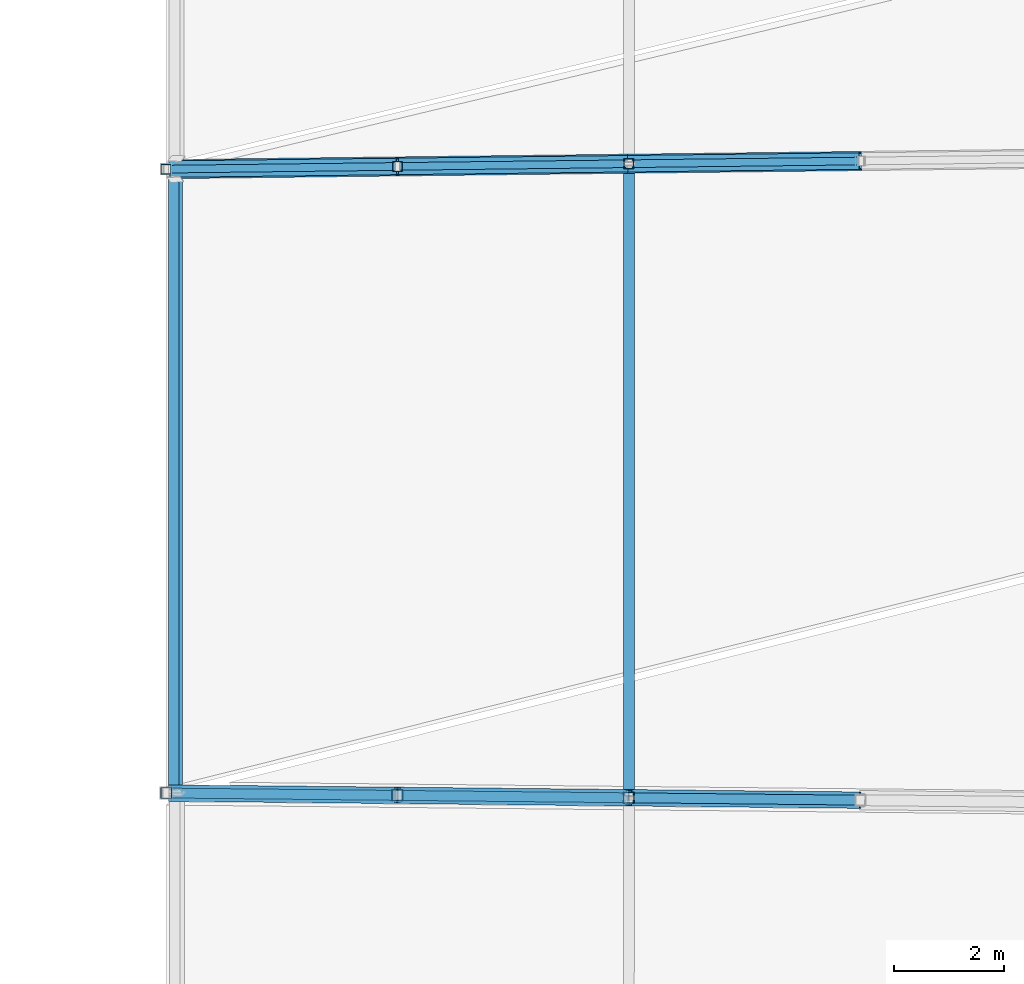
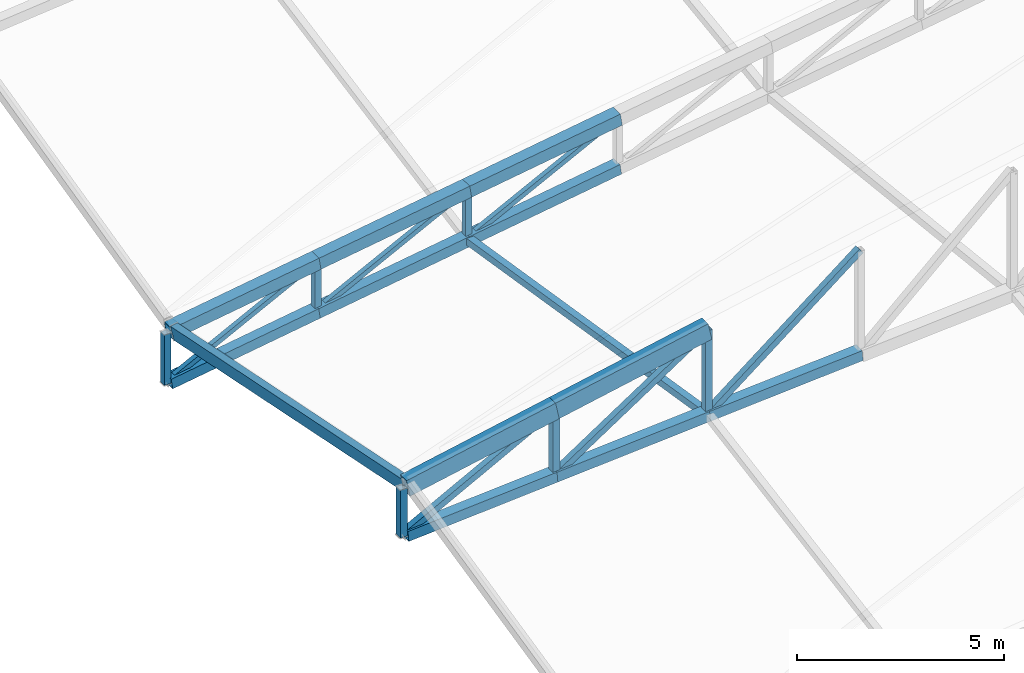
# One storey, part 106 of 344: 24 members, 1 beam.
"""IFC4 building model written with IfcOpenShell, lengths in metres."""

import ifcopenshell
import ifcopenshell.guid

model = None  # the IFC model being written
_history = None  # IfcOwnerHistory: only IFC2X3 demands one
_inside = {}  # id of a spatial element -> (the spatial element, [elements in it])
_under = {}  # id of a project, library or spatial element -> (it, [spatial elements below it])
_declared = {}  # id of a project -> (the project, [libraries it declares])
_typed = {}  # id of a type object -> (the type object, [elements of that type])
_made_of = {}  # id of a material, layer set ... -> (it, [elements and type objects made of it])


def new_model(schema):
    """Start an empty IFC model of exactly this schema.

    Asked for "IFC4X3", IfcOpenShell would pick the latest addendum, in which some entities
    have other attributes; the version numbers below select the first issue.
    IFC2X3 requires an IfcOwnerHistory on every rooted entity: one is made here for all.
    """
    global model, _history
    if schema == "IFC4X3":
        model = ifcopenshell.file(schema_version=(4, 3, 0, 0))
    else:
        model = ifcopenshell.file(schema=schema)
    _inside.clear()
    _under.clear()
    _declared.clear()
    _typed.clear()
    _made_of.clear()
    _history = None
    if model.schema == "IFC2X3":
        org = make("IfcOrganization", Name="unknown")
        user = make(
            "IfcPersonAndOrganization",
            ThePerson=make("IfcPerson", FamilyName="unknown"),
            TheOrganization=org,
        )
        app = make(
            "IfcApplication",
            ApplicationDeveloper=org,
            Version="unknown",
            ApplicationFullName="unknown",
            ApplicationIdentifier="unknown",
        )
        _history = make(
            "IfcOwnerHistory",
            OwningUser=user,
            OwningApplication=app,
            ChangeAction="ADDED",
            CreationDate=0,
        )
    return model


def make(cls, **values):
    """One entity of the class cls with the attributes given. An attribute that is None is left unset."""
    return model.create_entity(
        cls, **{name: value for name, value in values.items() if value is not None}
    )


def rooted(cls, **values):
    """An entity with a GlobalId (a new one), such as an element, a storey or a relation."""
    return make(cls, GlobalId=ifcopenshell.guid.new(), OwnerHistory=_history, **values)


def si_unit(unit_type, name, prefix=None):
    """IfcSIUnit, for example si_unit("LENGTHUNIT", "METRE", prefix="MILLI")."""
    return make("IfcSIUnit", UnitType=unit_type, Prefix=prefix, Name=name)


def assignment(units):
    """IfcUnitAssignment: the units of a project."""
    return None if units is None else make("IfcUnitAssignment", Units=units)


def point(xyz):
    """IfcCartesianPoint."""
    return None if xyz is None else make("IfcCartesianPoint", Coordinates=xyz)


def direction(xyz):
    """IfcDirection."""
    return None if xyz is None else make("IfcDirection", DirectionRatios=xyz)


def frame(location, z_axis=None, x_axis=None):
    """IfcAxis2Placement3D, a coordinate frame: its origin and axes. An axis left out is left unset."""
    return make(
        "IfcAxis2Placement3D",
        Location=point(location),
        Axis=direction(z_axis),
        RefDirection=direction(x_axis),
    )


def frame_2d(location, x_axis=None):
    """IfcAxis2Placement2D, a coordinate frame in the plane: its origin and x axis."""
    return make(
        "IfcAxis2Placement2D", Location=point(location), RefDirection=direction(x_axis)
    )


def origin():
    """The frame at (0, 0, 0) with its axes left unset."""
    return frame((0.0, 0.0, 0.0))


def origin_2d():
    """The frame at (0, 0) in the plane with its x axis left unset."""
    return frame_2d((0.0, 0.0))


def place(relative_to, where):
    """IfcLocalPlacement: puts the frame where relative to a parent placement (None: the world)."""
    return make(
        "IfcLocalPlacement", PlacementRelTo=relative_to, RelativePlacement=where
    )


def context(
    kind, dimensions, precision=None, world=None, true_north=None, identifier=None
):
    """IfcGeometricRepresentationContext, for example the 3D "Model" context."""
    return make(
        "IfcGeometricRepresentationContext",
        ContextIdentifier=identifier,
        ContextType=kind,
        CoordinateSpaceDimension=dimensions,
        Precision=precision,
        WorldCoordinateSystem=world,
        TrueNorth=true_north,
    )


def subcontext(parent, identifier, kind, view, scale=None):
    """IfcGeometricRepresentationSubContext, for example "Body" below "Model"."""
    return make(
        "IfcGeometricRepresentationSubContext",
        ContextIdentifier=identifier,
        ContextType=kind,
        ParentContext=parent,
        TargetScale=scale,
        TargetView=view,
    )


def project(units=None, contexts=None):
    """IfcProject with its units and contexts."""
    return rooted(
        "IfcProject",
        Name="project",
        RepresentationContexts=contexts,
        UnitsInContext=assignment(units),
    )


def spatial(cls, under=None, at=None, **own):
    """A site, building, storey or space (cls), placed at a placement, below another one or the project."""
    s = rooted(cls, ObjectPlacement=at, **own)
    if under is not None:
        _under.setdefault(under.id(), (under, []))[1].append(s)
    return s


def profile(cls, at=None, kind="AREA", **sizes):
    """A parametric profile (cls). Its sizes go by their IFC names, for example OverallWidth=200.0."""
    return make(cls, ProfileType=kind, Position=at, **sizes)


def hollow_rectangle(**sizes):
    """IfcRectangleHollowProfileDef."""
    return profile("IfcRectangleHollowProfileDef", **sizes)


def extrude(swept, where, along, depth):
    """IfcExtrudedAreaSolid: the profile swept, set in the frame where, extruded along a direction by depth."""
    return make(
        "IfcExtrudedAreaSolid",
        SweptArea=swept,
        Position=where,
        ExtrudedDirection=direction(along),
        Depth=depth,
    )


def shape(context_of_items, identifier, shape_type, items):
    """IfcShapeRepresentation: the items that make up one representation, for example the "Body"."""
    return make(
        "IfcShapeRepresentation",
        ContextOfItems=context_of_items,
        RepresentationIdentifier=identifier,
        RepresentationType=shape_type,
        Items=items,
    )


def material(Name=None, Category=None):
    """IfcMaterial."""
    return make("IfcMaterial", Name=Name, Category=Category)


def material_profile(
    of_material, cross_section, Name=None, Category=None, Priority=None
):
    """IfcMaterialProfile: a cross section and its material."""
    return make(
        "IfcMaterialProfile",
        Name=Name,
        Material=of_material,
        Profile=cross_section,
        Priority=Priority,
        Category=Category,
    )


def profile_set(profiles, Name=None, composite=None):
    """IfcMaterialProfileSet."""
    return make(
        "IfcMaterialProfileSet",
        Name=Name,
        MaterialProfiles=profiles,
        CompositeProfile=composite,
    )


def made_of(thing, what):
    """Note that an element or type object is made of a material, layer set ...; save() writes the relation."""
    if what is not None:
        _made_of.setdefault(what.id(), (what, []))[1].append(thing)
    return thing


def type_object(cls, material=None, **own):
    """A type object (cls), such as IfcWallType, which elements share."""
    return made_of(rooted(cls, **own), material)


def element(
    cls,
    number,
    at=None,
    inside=None,
    cuts=None,
    type_object=None,
    material=None,
    context=None,
    identifier="Body",
    shape_type=None,
    held_by="IfcProductDefinitionShape",
    body=None,
    shapes=None,
    **own,
):
    """One element of the class cls, such as IfcWall. Its Tag is "e" and its number.

    at: its placement. inside: the storey or other place that contains it. cuts: it is an
    opening in that element (IfcRelVoidsElement). A single representation is given by context,
    identifier, shape_type and body (its items); several are given by shapes. held_by: the class
    of the entity that holds the representations. save() writes the other relations.
    """
    e = rooted(cls, Tag="e%d" % number, ObjectPlacement=at, **own)
    if body is not None:
        shapes = [shape(context, identifier, shape_type, body)]
    if shapes is not None:
        e.Representation = make(held_by, Representations=shapes)
    if inside is not None:
        _inside.setdefault(inside.id(), (inside, []))[1].append(e)
    if cuts is not None:
        rooted(
            "IfcRelVoidsElement", RelatingBuildingElement=cuts, RelatedOpeningElement=e
        )
    if type_object is not None:
        _typed.setdefault(type_object.id(), (type_object, []))[1].append(e)
    return made_of(e, material)


def aggregate(whole, parts):
    """IfcRelAggregates: a whole, such as a stair, and the parts it consists of."""
    return rooted("IfcRelAggregates", RelatingObject=whole, RelatedObjects=parts)


def save(model, path):
    """Write the relations noted so far, then the file.

    IfcRelAggregates (storeys below a building ...), IfcRelContainedInSpatialStructure (elements
    in a storey), IfcRelDefinesByType, IfcRelAssociatesMaterial and IfcRelDeclares: one each for
    every whole, place, type object, material and project.
    """
    for whole, parts in _under.values():
        aggregate(whole, parts)
    for where, things in _inside.values():
        rooted(
            "IfcRelContainedInSpatialStructure",
            RelatedElements=things,
            RelatingStructure=where,
        )
    for kind, things in _typed.values():
        rooted("IfcRelDefinesByType", RelatedObjects=things, RelatingType=kind)
    for what, things in _made_of.values():
        rooted("IfcRelAssociatesMaterial", RelatedObjects=things, RelatingMaterial=what)
    for by, libraries in _declared.values():
        rooted("IfcRelDeclares", RelatingContext=by, RelatedDefinitions=libraries)
    model.write(path)


model = new_model("IFC4")

# Units and contexts
model_context = context("Model", 3, precision=1e-05, world=origin(), true_north=direction((0.0, 1.0)))
body_context = subcontext(model_context, "Body", "Model", "MODEL_VIEW")
ifc_project = project(units=[si_unit("LENGTHUNIT", "METRE"), si_unit("AREAUNIT", "SQUARE_METRE"), si_unit("VOLUMEUNIT", "CUBIC_METRE"), si_unit("PLANEANGLEUNIT", "RADIAN"), si_unit("MASSUNIT", "GRAM", prefix="KILO")], contexts=[model_context])

# Site, building, storey
site_placement = place(None, origin())
site = spatial("IfcSite", under=ifc_project, at=site_placement, CompositionType="ELEMENT")
building_placement = place(site_placement, origin())
building = spatial("IfcBuilding", under=site, at=building_placement, Name="Meseta Stadium", CompositionType="ELEMENT")
storey_placement = place(building_placement, frame((0.0, 0.0, 24.0)))
storey = spatial("IfcBuildingStorey", under=building, at=storey_placement, Name="L04", CompositionType="ELEMENT", Elevation=24.0)

# Beam
ifc_material_1 = material(Name="Steel S355", Category="steel")
ifc_material_profile_1 = material_profile(ifc_material_1, hollow_rectangle(XDim=0.199951171875, YDim=0.39990234375, WallThickness=0.01611328125, at=origin_2d()), Name="RHS 400x200x16")
ifc_profile_set_1 = profile_set([ifc_material_profile_1], Name="Steel S355")
beam_type = type_object("IfcBeamType", Name="RHS 400x200x16 tip ring beam", PredefinedType="BEAM", material=ifc_profile_set_1)
beam_placement = place(storey_placement, frame((47.170166015625, -5.6591796875, 5.1064453125), z_axis=(0.0, 0.979973133329, -0.19912975155), x_axis=(-0.989707897435, -0.028495932048, -0.140236441813)))
element("IfcBeam", 1, at=beam_placement, inside=storey, type_object=beam_type, Name="TIP RING BEAM 05", PredefinedType="BEAM", context=body_context, shape_type="SweptSolid", body=[
    extrude(hollow_rectangle(XDim=0.199951171875, YDim=0.39990234375, WallThickness=0.01611328125, at=origin_2d()), origin(), (0.0, 0.0, 1.0), 11.385009765625),
])

# Members
ifc_material_2 = material(Name="Steel S355", Category="steel")
ifc_material_profile_2 = material_profile(ifc_material_2, hollow_rectangle(XDim=0.300048828125, YDim=0.5, WallThickness=0.01611328125, at=origin_2d()), Name="RHS 500x300x16")
ifc_profile_set_2 = profile_set([ifc_material_profile_2], Name="Steel S355")
member_type_1 = type_object("IfcMemberType", Name="RHS 500x300x16 top chord", PredefinedType="CHORD", material=ifc_profile_set_2)
member_1_placement = place(storey_placement, frame((47.097412109375, -5.69189453125, 5.125), z_axis=(0.978703620911, -0.010022833506, 0.20503357097), x_axis=(0.01024039122, 0.999947565819, 0.0)))
element("IfcMember", 2, at=member_1_placement, inside=storey, type_object=member_type_1, Name="ROOF TRUSS RT-04 top chord", PredefinedType="CHORD", context=body_context, shape_type="SweptSolid", body=[
    extrude(hollow_rectangle(XDim=0.300048828125, YDim=0.5, WallThickness=0.01611328125, at=origin_2d()), origin(), (0.0, 0.0, 1.0), 4.214111328125),
])
member_2_placement = place(storey_placement, frame((51.2216796875, -5.734130859375, 5.989013671875), z_axis=(0.978712180089, -0.010074062803, 0.204990199288), x_axis=(0.010292636977, 0.999947029409, 0.0)))
element("IfcMember", 3, at=member_2_placement, inside=storey, type_object=member_type_1, Name="ROOF TRUSS RT-04 top chord", PredefinedType="CHORD", context=body_context, shape_type="SweptSolid", body=[
    extrude(hollow_rectangle(XDim=0.300048828125, YDim=0.5, WallThickness=0.01611328125, at=origin_2d()), origin(), (0.0, 0.0, 1.0), 4.313720703125),
])
ifc_material_3 = material(Name="Steel S355", Category="steel")
ifc_material_profile_3 = material_profile(ifc_material_3, hollow_rectangle(XDim=0.139892578125, YDim=0.139892578125, WallThickness=0.0048828125, at=origin_2d()), Name="SHS 140x140x5")
ifc_profile_set_3 = profile_set([ifc_material_profile_3], Name="Steel S355")
member_type_2 = type_object("IfcMemberType", Name="SHS 140x140x5 diagonal", PredefinedType="BRACE", material=ifc_profile_set_3)
member_3_placement = place(storey_placement, frame((46.999755859375, 5.690673828125, 1.284423828125), z_axis=(0.896142468581, 0.010571506597, 0.443640529319), x_axis=(-0.011795860001, 0.999930426423, 0.0)))
element("IfcMember", 4, at=member_3_placement, inside=storey, type_object=member_type_2, Name="ROOF TRUSS RT-05 diagonal", PredefinedType="BRACE", context=body_context, shape_type="SweptSolid", body=[
    extrude(hollow_rectangle(XDim=0.139892578125, YDim=0.139892578125, WallThickness=0.0048828125, at=origin_2d()), origin(), (0.0, 0.0, 1.0), 4.711181640625),
])
for number, where, z_axis, x_axis, name in (
    (5, (51.2216796875, 5.740478515625, 1.897216796875), (0.896122355516, 0.010519449382, 0.443682392178), (-0.011738045144, 0.999931106775, 0.0), "ROOF TRUSS RT-05 diagonal"),
    (6, (55.443603515625, 5.7900390625, 2.510009765625), (0.896122355516, 0.010519449382, 0.443682392178), (-0.011738045144, 0.999931106775, 0.0), "ROOF TRUSS RT-05 diagonal"),
):
    element("IfcMember", number, at=place(storey_placement, frame(where, z_axis=z_axis, x_axis=x_axis)), inside=storey, type_object=member_type_2, Name=name, PredefinedType="BRACE", context=body_context, shape_type="SweptSolid", body=[
        extrude(hollow_rectangle(XDim=0.139892578125, YDim=0.139892578125, WallThickness=0.0048828125, at=origin_2d()), origin(), (0.0, 0.0, 1.0), 4.71142578125),
    ])
ifc_material_4 = material(Name="Steel S355", Category="steel")
ifc_material_profile_4 = material_profile(ifc_material_4, hollow_rectangle(XDim=0.179931640625, YDim=0.179931640625, WallThickness=0.00634765625, at=origin_2d()), Name="SHS 180x180x6.3")
ifc_profile_set_4 = profile_set([ifc_material_profile_4], Name="Steel S355")
member_type_3 = type_object("IfcMemberType", Name="SHS 180x180x6.3 diagonal", PredefinedType="BRACE", material=ifc_profile_set_4)
member_4_placement = place(storey_placement, frame((46.999755859375, -5.690673828125, 3.704345703125), z_axis=(0.879448436545, -0.009052323004, 0.475908082414), x_axis=(0.010292636977, 0.999947029409, 0.0)))
element("IfcMember", 7, at=member_4_placement, inside=storey, type_object=member_type_3, Name="ROOF TRUSS RT-04 diagonal", PredefinedType="BRACE", context=body_context, shape_type="SweptSolid", body=[
    extrude(hollow_rectangle(XDim=0.179931640625, YDim=0.179931640625, WallThickness=0.00634765625, at=origin_2d()), origin(), (0.0, 0.0, 1.0), 4.800537109375),
])
member_5_placement = place(storey_placement, frame((51.2216796875, -5.734130859375, 4.040771484375), z_axis=(0.830391072896, -0.008547366621, 0.557115435595), x_axis=(0.010292636977, 0.999947029409, 0.0)))
element("IfcMember", 8, at=member_5_placement, inside=storey, type_object=member_type_3, Name="ROOF TRUSS RT-04 diagonal", PredefinedType="BRACE", context=body_context, shape_type="SweptSolid", body=[
    extrude(hollow_rectangle(XDim=0.179931640625, YDim=0.179931640625, WallThickness=0.00634765625, at=origin_2d()), origin(), (0.0, 0.0, 1.0), 5.084228515625),
])
member_6_placement = place(storey_placement, frame((55.443603515625, -5.777587890625, 4.377197265625), z_axis=(0.780566096521, -0.00803450906, 0.625021612128), x_axis=(0.010292636977, 0.999947029409, 0.0)))
element("IfcMember", 9, at=member_6_placement, inside=storey, type_object=member_type_3, Name="ROOF TRUSS RT-04 diagonal", PredefinedType="BRACE", context=body_context, shape_type="SweptSolid", body=[
    extrude(hollow_rectangle(XDim=0.179931640625, YDim=0.179931640625, WallThickness=0.00634765625, at=origin_2d()), origin(), (0.0, 0.0, 1.0), 5.40869140625),
])
ifc_material_5 = material(Name="Steel S355", Category="steel")
ifc_material_profile_5 = material_profile(ifc_material_5, hollow_rectangle(XDim=0.179931640625, YDim=0.179931640625, WallThickness=0.00634765625, at=origin_2d()), Name="SHS 180x180x6.3")
ifc_profile_set_5 = profile_set([ifc_material_profile_5], Name="Steel S355")
member_type_4 = type_object("IfcMemberType", Name="SHS 180x180x6.3 post", PredefinedType="POST", material=ifc_profile_set_5)
member_7_placement = place(storey_placement, frame((51.2216796875, 5.740478515625, 1.897216796875), z_axis=(0.0, 0.0, 1.0), x_axis=(1.0, 0.0, 0.0)))
element("IfcMember", 10, at=member_7_placement, inside=storey, type_object=member_type_4, Name="ROOF TRUSS RT-05 post", PredefinedType="POST", context=body_context, shape_type="SweptSolid", body=[
    extrude(hollow_rectangle(XDim=0.179931640625, YDim=0.179931640625, WallThickness=0.00634765625, at=origin_2d()), origin(), (0.0, 0.0, 1.0), 1.477294921875),
])
member_8_placement = place(storey_placement, frame((55.443603515625, 5.7900390625, 2.510009765625), z_axis=(0.0, 0.0, 1.0), x_axis=(1.0, 0.0, 0.0)))
element("IfcMember", 11, at=member_8_placement, inside=storey, type_object=member_type_4, Name="ROOF TRUSS RT-05 post", PredefinedType="POST", context=body_context, shape_type="SweptSolid", body=[
    extrude(hollow_rectangle(XDim=0.179931640625, YDim=0.179931640625, WallThickness=0.00634765625, at=origin_2d()), origin(), (0.0, 0.0, 1.0), 1.4775390625),
])
ifc_material_6 = material(Name="Steel S355", Category="steel")
ifc_material_profile_6 = material_profile(ifc_material_6, hollow_rectangle(XDim=0.179931640625, YDim=0.179931640625, WallThickness=0.00634765625, at=origin_2d()), Name="SHS 180x180x6.3")
ifc_profile_set_6 = profile_set([ifc_material_profile_6], Name="Steel S355")
member_type_5 = type_object("IfcMemberType", Name="SHS 180x180x6.3 rim post", PredefinedType="POST", material=ifc_profile_set_6)
member_9_placement = place(storey_placement, frame((46.999755859375, 5.690673828125, 1.284423828125), z_axis=(0.0, 0.0, 1.0), x_axis=(1.0, 0.0, 0.0)))
element("IfcMember", 12, at=member_9_placement, inside=storey, type_object=member_type_5, Name="ROOF TRUSS RT-05 post", PredefinedType="POST", context=body_context, shape_type="SweptSolid", body=[
    extrude(hollow_rectangle(XDim=0.179931640625, YDim=0.179931640625, WallThickness=0.00634765625, at=origin_2d()), origin(), (0.0, 0.0, 1.0), 1.477294921875),
])
ifc_material_7 = material(Name="Steel S355", Category="steel")
ifc_material_profile_7 = material_profile(ifc_material_7, hollow_rectangle(XDim=0.199951171875, YDim=0.199951171875, WallThickness=0.008056640625, at=origin_2d()), Name="SHS 200x200x8")
ifc_profile_set_7 = profile_set([ifc_material_profile_7], Name="Steel S355")
member_type_6 = type_object("IfcMemberType", Name="SHS 200x200x8 post", PredefinedType="POST", material=ifc_profile_set_7)
member_10_placement = place(storey_placement, frame((51.2216796875, -5.734130859375, 4.040771484375), z_axis=(0.0, 0.0, 1.0), x_axis=(1.0, 0.0, 0.0)))
element("IfcMember", 13, at=member_10_placement, inside=storey, type_object=member_type_6, Name="ROOF TRUSS RT-04 post", PredefinedType="POST", context=body_context, shape_type="SweptSolid", body=[
    extrude(hollow_rectangle(XDim=0.199951171875, YDim=0.199951171875, WallThickness=0.008056640625, at=origin_2d()), origin(), (0.0, 0.0, 1.0), 1.9482421875),
])
member_11_placement = place(storey_placement, frame((55.443603515625, -5.777587890625, 4.377197265625), z_axis=(0.0, 0.0, 1.0), x_axis=(1.0, 0.0, 0.0)))
element("IfcMember", 14, at=member_11_placement, inside=storey, type_object=member_type_6, Name="ROOF TRUSS RT-04 post", PredefinedType="POST", context=body_context, shape_type="SweptSolid", body=[
    extrude(hollow_rectangle(XDim=0.199951171875, YDim=0.199951171875, WallThickness=0.008056640625, at=origin_2d()), origin(), (0.0, 0.0, 1.0), 2.49609375),
])
ifc_material_8 = material(Name="Steel S355", Category="steel")
ifc_material_profile_8 = material_profile(ifc_material_8, hollow_rectangle(XDim=0.199951171875, YDim=0.199951171875, WallThickness=0.008056640625, at=origin_2d()), Name="SHS 200x200x8")
ifc_profile_set_8 = profile_set([ifc_material_profile_8], Name="Steel S355")
member_type_7 = type_object("IfcMemberType", Name="SHS 200x200x8 rim post", PredefinedType="POST", material=ifc_profile_set_8)
member_12_placement = place(storey_placement, frame((46.999755859375, -5.690673828125, 3.704345703125), z_axis=(0.0, 0.0, 1.0), x_axis=(1.0, 0.0, 0.0)))
element("IfcMember", 15, at=member_12_placement, inside=storey, type_object=member_type_7, Name="ROOF TRUSS RT-04 post", PredefinedType="POST", context=body_context, shape_type="SweptSolid", body=[
    extrude(hollow_rectangle(XDim=0.199951171875, YDim=0.199951171875, WallThickness=0.008056640625, at=origin_2d()), origin(), (0.0, 0.0, 1.0), 1.400146484375),
])
ifc_material_9 = material(Name="Steel S355", Category="steel")
ifc_material_profile_9 = material_profile(ifc_material_9, hollow_rectangle(XDim=0.199951171875, YDim=0.199951171875, WallThickness=0.008056640625, at=origin_2d()), Name="SHS 200x200x8")
ifc_profile_set_9 = profile_set([ifc_material_profile_9], Name="Steel S355")
member_type_8 = type_object("IfcMemberType", Name="SHS 200x200x8 strut", PredefinedType="STRUT", material=ifc_profile_set_9)
member_13_placement = place(storey_placement, frame((55.443603515625, -5.777587890625, 4.377197265625), z_axis=(0.0, 0.987221777966, -0.159352317551), x_axis=(-1.0, 0.0, 0.0)))
element("IfcMember", 16, at=member_13_placement, inside=storey, type_object=member_type_8, Name="ROOF TRUSS STRUT RT-04/05", PredefinedType="STRUT", context=body_context, shape_type="SweptSolid", body=[
    extrude(hollow_rectangle(XDim=0.199951171875, YDim=0.199951171875, WallThickness=0.008056640625, at=origin_2d()), origin(), (0.0, 0.0, 1.0), 11.71728515625),
])
ifc_material_10 = material(Name="Steel S355", Category="steel")
ifc_material_profile_10 = material_profile(ifc_material_10, hollow_rectangle(XDim=0.300048828125, YDim=0.300048828125, WallThickness=0.010009765625, at=origin_2d()), Name="SHS 300x300x10")
ifc_profile_set_10 = profile_set([ifc_material_profile_10], Name="Steel S355")
member_type_9 = type_object("IfcMemberType", Name="SHS 300x300x10 bottom chord", PredefinedType="CHORD", material=ifc_profile_set_10)
member_14_placement = place(storey_placement, frame((47.099365234375, -5.69189453125, 3.71240234375), z_axis=(0.996790451205, -0.010212895947, 0.079400838429), x_axis=(0.01024524254, 0.999947516125, 0.0)))
element("IfcMember", 17, at=member_14_placement, inside=storey, type_object=member_type_9, Name="ROOF TRUSS RT-04 bottom chord", PredefinedType="CHORD", context=body_context, shape_type="SweptSolid", body=[
    extrude(hollow_rectangle(XDim=0.300048828125, YDim=0.300048828125, WallThickness=0.010009765625, at=origin_2d()), origin(), (0.0, 0.0, 1.0), 4.135498046875),
])
for number, where, z_axis, x_axis, name in (
    (18, (51.2216796875, -5.734130859375, 4.040771484375), (0.996787686968, -0.010260117289, 0.079429447328), (0.010292636977, 0.999947029409, 0.0), "ROOF TRUSS RT-04 bottom chord"),
    (19, (55.443603515625, -5.777587890625, 4.377197265625), (0.996792249037, -0.010260164247, 0.079372169486), (0.010292636977, 0.999947029409, 0.0), "ROOF TRUSS RT-04 bottom chord"),
):
    element("IfcMember", number, at=place(storey_placement, frame(where, z_axis=z_axis, x_axis=x_axis)), inside=storey, type_object=member_type_9, Name=name, PredefinedType="CHORD", context=body_context, shape_type="SweptSolid", body=[
        extrude(hollow_rectangle(XDim=0.300048828125, YDim=0.300048828125, WallThickness=0.010009765625, at=origin_2d()), origin(), (0.0, 0.0, 1.0), 4.235595703125),
    ])
member_15_placement = place(storey_placement, frame((47.088623046875, 5.69189453125, 1.29736328125), z_axis=(0.989564399546, 0.011632306427, 0.143620989408), x_axis=(-0.011754164603, 0.999930917421, 0.0)))
element("IfcMember", 20, at=member_15_placement, inside=storey, type_object=member_type_9, Name="ROOF TRUSS RT-05 bottom chord", PredefinedType="CHORD", context=body_context, shape_type="SweptSolid", body=[
    extrude(hollow_rectangle(XDim=0.300048828125, YDim=0.300048828125, WallThickness=0.010009765625, at=origin_2d()), origin(), (0.0, 0.0, 1.0), 4.1767578125),
])
for number, where, z_axis, x_axis, name in (
    (21, (51.2216796875, 5.740478515625, 1.897216796875), (0.989563195146, 0.011616337744, 0.143630579993), (-0.011738045144, 0.999931106775, 0.0), "ROOF TRUSS RT-05 bottom chord"),
    (22, (55.443603515625, 5.7900390625, 2.510009765625), (0.989563195146, 0.011616337744, 0.143630579993), (-0.011738045144, 0.999931106775, 0.0), "ROOF TRUSS RT-05 bottom chord"),
):
    element("IfcMember", number, at=place(storey_placement, frame(where, z_axis=z_axis, x_axis=x_axis)), inside=storey, type_object=member_type_9, Name=name, PredefinedType="CHORD", context=body_context, shape_type="SweptSolid", body=[
        extrude(hollow_rectangle(XDim=0.300048828125, YDim=0.300048828125, WallThickness=0.010009765625, at=origin_2d()), origin(), (0.0, 0.0, 1.0), 4.266357421875),
    ])
ifc_material_11 = material(Name="Steel S355", Category="steel")
ifc_material_profile_11 = material_profile(ifc_material_11, hollow_rectangle(XDim=0.35009765625, YDim=0.35009765625, WallThickness=0.010009765625, at=origin_2d()), Name="SHS 350x350x10")
ifc_profile_set_11 = profile_set([ifc_material_profile_11], Name="Steel S355")
member_type_10 = type_object("IfcMemberType", Name="SHS 350x350x10 top chord", PredefinedType="CHORD", material=ifc_profile_set_11)
member_16_placement = place(storey_placement, frame((47.088623046875, 5.69189453125, 2.774658203125), z_axis=(0.989564399546, 0.011632306427, 0.143620989408), x_axis=(-0.011754164603, 0.999930917421, 0.0)))
element("IfcMember", 23, at=member_16_placement, inside=storey, type_object=member_type_10, Name="ROOF TRUSS RT-05 top chord", PredefinedType="CHORD", context=body_context, shape_type="SweptSolid", body=[
    extrude(hollow_rectangle(XDim=0.35009765625, YDim=0.35009765625, WallThickness=0.010009765625, at=origin_2d()), origin(), (0.0, 0.0, 1.0), 4.1767578125),
])
member_17_placement = place(storey_placement, frame((51.2216796875, 5.740478515625, 3.37451171875), z_axis=(0.989555060386, 0.011616242252, 0.143686622138), x_axis=(-0.011738045144, 0.999931106775, 0.0)))
element("IfcMember", 24, at=member_17_placement, inside=storey, type_object=member_type_10, Name="ROOF TRUSS RT-05 top chord", PredefinedType="CHORD", context=body_context, shape_type="SweptSolid", body=[
    extrude(hollow_rectangle(XDim=0.35009765625, YDim=0.35009765625, WallThickness=0.010009765625, at=origin_2d()), origin(), (0.0, 0.0, 1.0), 4.2666015625),
])
member_18_placement = place(storey_placement, frame((55.443603515625, 5.7900390625, 3.987548828125), z_axis=(0.989563195146, 0.011616337744, 0.143630579993), x_axis=(-0.011738045144, 0.999931106775, 0.0)))
element("IfcMember", 25, at=member_18_placement, inside=storey, type_object=member_type_10, Name="ROOF TRUSS RT-05 top chord", PredefinedType="CHORD", context=body_context, shape_type="SweptSolid", body=[
    extrude(hollow_rectangle(XDim=0.35009765625, YDim=0.35009765625, WallThickness=0.010009765625, at=origin_2d()), origin(), (0.0, 0.0, 1.0), 4.266357421875),
])

save(model, "model.ifc")
